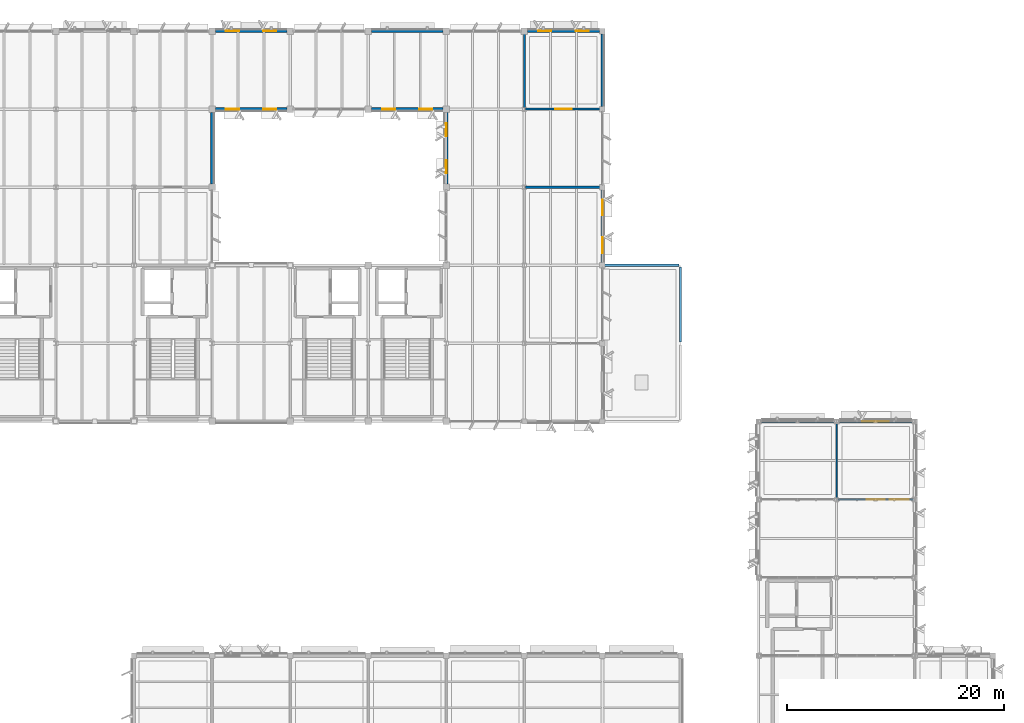
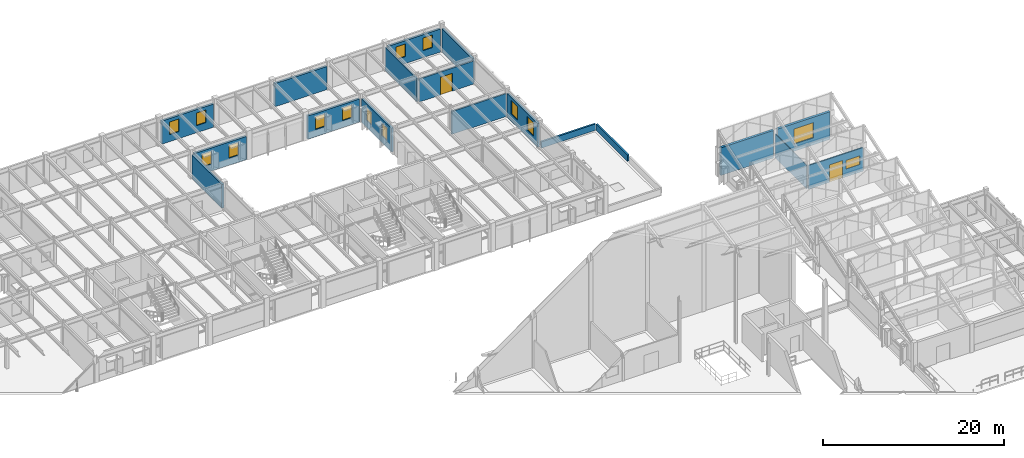
# One storey, part 40 of 82: 18 walls, 14 windows, 2 doors, 16 openings.
"""IFC4 building model written with IfcOpenShell, lengths in metres."""

import ifcopenshell
import ifcopenshell.guid

model = None  # the IFC model being written
_history = None  # IfcOwnerHistory: only IFC2X3 demands one
_inside = {}  # id of a spatial element -> (the spatial element, [elements in it])
_under = {}  # id of a project, library or spatial element -> (it, [spatial elements below it])
_declared = {}  # id of a project -> (the project, [libraries it declares])
_typed = {}  # id of a type object -> (the type object, [elements of that type])
_made_of = {}  # id of a material, layer set ... -> (it, [elements and type objects made of it])


def new_model(schema):
    """Start an empty IFC model of exactly this schema.

    Asked for "IFC4X3", IfcOpenShell would pick the latest addendum, in which some entities
    have other attributes; the version numbers below select the first issue.
    IFC2X3 requires an IfcOwnerHistory on every rooted entity: one is made here for all.
    """
    global model, _history
    if schema == "IFC4X3":
        model = ifcopenshell.file(schema_version=(4, 3, 0, 0))
    else:
        model = ifcopenshell.file(schema=schema)
    _inside.clear()
    _under.clear()
    _declared.clear()
    _typed.clear()
    _made_of.clear()
    _history = None
    if model.schema == "IFC2X3":
        org = make("IfcOrganization", Name="unknown")
        user = make(
            "IfcPersonAndOrganization",
            ThePerson=make("IfcPerson", FamilyName="unknown"),
            TheOrganization=org,
        )
        app = make(
            "IfcApplication",
            ApplicationDeveloper=org,
            Version="unknown",
            ApplicationFullName="unknown",
            ApplicationIdentifier="unknown",
        )
        _history = make(
            "IfcOwnerHistory",
            OwningUser=user,
            OwningApplication=app,
            ChangeAction="ADDED",
            CreationDate=0,
        )
    return model


def make(cls, **values):
    """One entity of the class cls with the attributes given. An attribute that is None is left unset."""
    return model.create_entity(
        cls, **{name: value for name, value in values.items() if value is not None}
    )


def rooted(cls, **values):
    """An entity with a GlobalId (a new one), such as an element, a storey or a relation."""
    return make(cls, GlobalId=ifcopenshell.guid.new(), OwnerHistory=_history, **values)


def si_unit(unit_type, name, prefix=None):
    """IfcSIUnit, for example si_unit("LENGTHUNIT", "METRE", prefix="MILLI")."""
    return make("IfcSIUnit", UnitType=unit_type, Prefix=prefix, Name=name)


def assignment(units):
    """IfcUnitAssignment: the units of a project."""
    return None if units is None else make("IfcUnitAssignment", Units=units)


def point(xyz):
    """IfcCartesianPoint."""
    return None if xyz is None else make("IfcCartesianPoint", Coordinates=xyz)


def direction(xyz):
    """IfcDirection."""
    return None if xyz is None else make("IfcDirection", DirectionRatios=xyz)


def frame(location, z_axis=None, x_axis=None):
    """IfcAxis2Placement3D, a coordinate frame: its origin and axes. An axis left out is left unset."""
    return make(
        "IfcAxis2Placement3D",
        Location=point(location),
        Axis=direction(z_axis),
        RefDirection=direction(x_axis),
    )


def frame_2d(location, x_axis=None):
    """IfcAxis2Placement2D, a coordinate frame in the plane: its origin and x axis."""
    return make(
        "IfcAxis2Placement2D", Location=point(location), RefDirection=direction(x_axis)
    )


def origin():
    """The frame at (0, 0, 0) with its axes left unset."""
    return frame((0.0, 0.0, 0.0))


def place(relative_to, where):
    """IfcLocalPlacement: puts the frame where relative to a parent placement (None: the world)."""
    return make(
        "IfcLocalPlacement", PlacementRelTo=relative_to, RelativePlacement=where
    )


def context(
    kind, dimensions, precision=None, world=None, true_north=None, identifier=None
):
    """IfcGeometricRepresentationContext, for example the 3D "Model" context."""
    return make(
        "IfcGeometricRepresentationContext",
        ContextIdentifier=identifier,
        ContextType=kind,
        CoordinateSpaceDimension=dimensions,
        Precision=precision,
        WorldCoordinateSystem=world,
        TrueNorth=true_north,
    )


def subcontext(parent, identifier, kind, view, scale=None):
    """IfcGeometricRepresentationSubContext, for example "Body" below "Model"."""
    return make(
        "IfcGeometricRepresentationSubContext",
        ContextIdentifier=identifier,
        ContextType=kind,
        ParentContext=parent,
        TargetScale=scale,
        TargetView=view,
    )


def project(units=None, contexts=None):
    """IfcProject with its units and contexts."""
    return rooted(
        "IfcProject",
        Name="project",
        RepresentationContexts=contexts,
        UnitsInContext=assignment(units),
    )


def spatial(cls, under=None, at=None, **own):
    """A site, building, storey or space (cls), placed at a placement, below another one or the project."""
    s = rooted(cls, ObjectPlacement=at, **own)
    if under is not None:
        _under.setdefault(under.id(), (under, []))[1].append(s)
    return s


def profile(cls, at=None, kind="AREA", **sizes):
    """A parametric profile (cls). Its sizes go by their IFC names, for example OverallWidth=200.0."""
    return make(cls, ProfileType=kind, Position=at, **sizes)


def rectangle(**sizes):
    """IfcRectangleProfileDef."""
    return profile("IfcRectangleProfileDef", **sizes)


def extrude(swept, where, along, depth):
    """IfcExtrudedAreaSolid: the profile swept, set in the frame where, extruded along a direction by depth."""
    return make(
        "IfcExtrudedAreaSolid",
        SweptArea=swept,
        Position=where,
        ExtrudedDirection=direction(along),
        Depth=depth,
    )


def shape(context_of_items, identifier, shape_type, items):
    """IfcShapeRepresentation: the items that make up one representation, for example the "Body"."""
    return make(
        "IfcShapeRepresentation",
        ContextOfItems=context_of_items,
        RepresentationIdentifier=identifier,
        RepresentationType=shape_type,
        Items=items,
    )


def material(Name=None, Category=None):
    """IfcMaterial."""
    return make("IfcMaterial", Name=Name, Category=Category)


def layer(
    of_material, thickness, ventilated=None, Name=None, Category=None, Priority=None
):
    """IfcMaterialLayer: one layer of a wall or slab, of a material (None: an air gap)."""
    return make(
        "IfcMaterialLayer",
        Material=of_material,
        LayerThickness=thickness,
        IsVentilated=ventilated,
        Name=Name,
        Category=Category,
        Priority=Priority,
    )


def layer_set(layers, Name=None):
    """IfcMaterialLayerSet."""
    return make("IfcMaterialLayerSet", MaterialLayers=layers, LayerSetName=Name)


def made_of(thing, what):
    """Note that an element or type object is made of a material, layer set ...; save() writes the relation."""
    if what is not None:
        _made_of.setdefault(what.id(), (what, []))[1].append(thing)
    return thing


def type_object(cls, material=None, **own):
    """A type object (cls), such as IfcWallType, which elements share."""
    return made_of(rooted(cls, **own), material)


def element(
    cls,
    number,
    at=None,
    inside=None,
    cuts=None,
    type_object=None,
    material=None,
    context=None,
    identifier="Body",
    shape_type=None,
    held_by="IfcProductDefinitionShape",
    body=None,
    shapes=None,
    **own,
):
    """One element of the class cls, such as IfcWall. Its Tag is "e" and its number.

    at: its placement. inside: the storey or other place that contains it. cuts: it is an
    opening in that element (IfcRelVoidsElement). A single representation is given by context,
    identifier, shape_type and body (its items); several are given by shapes. held_by: the class
    of the entity that holds the representations. save() writes the other relations.
    """
    e = rooted(cls, Tag="e%d" % number, ObjectPlacement=at, **own)
    if body is not None:
        shapes = [shape(context, identifier, shape_type, body)]
    if shapes is not None:
        e.Representation = make(held_by, Representations=shapes)
    if inside is not None:
        _inside.setdefault(inside.id(), (inside, []))[1].append(e)
    if cuts is not None:
        rooted(
            "IfcRelVoidsElement", RelatingBuildingElement=cuts, RelatedOpeningElement=e
        )
    if type_object is not None:
        _typed.setdefault(type_object.id(), (type_object, []))[1].append(e)
    return made_of(e, material)


def fill(opening, filler):
    """IfcRelFillsElement: the door or window that sits in an opening."""
    return rooted(
        "IfcRelFillsElement",
        RelatingOpeningElement=opening,
        RelatedBuildingElement=filler,
    )


def aggregate(whole, parts):
    """IfcRelAggregates: a whole, such as a stair, and the parts it consists of."""
    return rooted("IfcRelAggregates", RelatingObject=whole, RelatedObjects=parts)


def save(model, path):
    """Write the relations noted so far, then the file.

    IfcRelAggregates (storeys below a building ...), IfcRelContainedInSpatialStructure (elements
    in a storey), IfcRelDefinesByType, IfcRelAssociatesMaterial and IfcRelDeclares: one each for
    every whole, place, type object, material and project.
    """
    for whole, parts in _under.values():
        aggregate(whole, parts)
    for where, things in _inside.values():
        rooted(
            "IfcRelContainedInSpatialStructure",
            RelatedElements=things,
            RelatingStructure=where,
        )
    for kind, things in _typed.values():
        rooted("IfcRelDefinesByType", RelatedObjects=things, RelatingType=kind)
    for what, things in _made_of.values():
        rooted("IfcRelAssociatesMaterial", RelatedObjects=things, RelatingMaterial=what)
    for by, libraries in _declared.values():
        rooted("IfcRelDeclares", RelatingContext=by, RelatedDefinitions=libraries)
    model.write(path)


model = new_model("IFC4")

# Units and contexts
model_context = context("Model", 3, precision=1e-05, world=origin(), true_north=direction((0.0, 1.0)))
body_context = subcontext(model_context, "Body", "Model", "MODEL_VIEW")
ifc_project = project(units=[si_unit("LENGTHUNIT", "METRE"), si_unit("AREAUNIT", "SQUARE_METRE"), si_unit("VOLUMEUNIT", "CUBIC_METRE"), si_unit("PLANEANGLEUNIT", "RADIAN"), si_unit("MASSUNIT", "GRAM", prefix="KILO")], contexts=[model_context])

# Site, building, storey
site_placement = place(None, origin())
site = spatial("IfcSite", under=ifc_project, at=site_placement, CompositionType="ELEMENT")
building_placement = place(site_placement, origin())
building = spatial("IfcBuilding", under=site, at=building_placement, Name="Sillqori Civic Hall", CompositionType="ELEMENT")
storey_placement = place(building_placement, frame((0.0, 0.0, 14.10009765625)))
storey = spatial("IfcBuildingStorey", under=building, at=storey_placement, Name="L04", CompositionType="ELEMENT", Elevation=14.10009765625)

# Wall
ifc_material_1 = material(Name="Precast concrete C40/50 (H40)", Category="concrete")
ifc_layer_1 = layer(ifc_material_1, 0.280029296875)
ifc_layer_set_1 = layer_set([ifc_layer_1], Name="Precast concrete C40/50 (H40)")
wall_type_1 = type_object("IfcWallType", Name="EW-LIME-280", PredefinedType="SOLIDWALL", material=ifc_layer_set_1)
wall_1_placement = place(storey_placement, frame((72.0, 107.699951171875, 0.0), z_axis=(0.0, 0.0, 1.0), x_axis=(0.0, -1.0, 0.0)))
element("IfcWall", 1, at=wall_1_placement, inside=storey, type_object=wall_type_1, Name="L04 V4 exterior wall L04-09-14-E", PredefinedType="SOLIDWALL", context=body_context, shape_type="SweptSolid", body=[
    extrude(rectangle(XDim=6.599853515625, YDim=0.280029296875, at=frame_2d((3.2998046875, 0.0))), origin(), (0.0, 0.0, 1.0), 3.19189453125),
])

# Wall, openings, windows
wall_2_placement = place(storey_placement, frame((78.89990234375, 108.0, 0.0), z_axis=(0.0, 0.0, 1.0), x_axis=(-1.0, 0.0, 0.0)))
wall_2 = element("IfcWall", 2, at=wall_2_placement, inside=storey, type_object=wall_type_1, Name="L04 V4 exterior wall L04-10-15-S", PredefinedType="SOLIDWALL", context=body_context, shape_type="SweptSolid", body=[
    extrude(rectangle(XDim=6.599853515625, YDim=0.280029296875, at=frame_2d((3.2998046875, 0.0))), origin(), (0.0, 0.0, 1.0), 3.117919921875),
])
opening_1_placement = place(wall_2_placement, frame((0.98388671875, 0.0, 0.949951171875)))
opening_1 = element("IfcOpeningElement", 3, at=opening_1_placement, cuts=wall_2, Name="Opening W-22", PredefinedType="OPENING", context=body_context, shape_type="SweptSolid", body=[
    extrude(rectangle(XDim=1.199951171875, YDim=1.699951171875, at=frame_2d((0.60009765625, 0.85009765625))), frame((0.0, 0.14990234375, 0.0), z_axis=(0.0, -1.0, 0.0), x_axis=(1.0, 0.0, 0.0)), (0.0, 0.0, 1.0), 0.300048828125),
])
opening_2_placement = place(wall_2_placement, frame((4.416015625, 0.0, 0.949951171875)))
opening_2 = element("IfcOpeningElement", 4, at=opening_2_placement, cuts=wall_2, Name="Opening W-22", PredefinedType="OPENING", context=body_context, shape_type="SweptSolid", body=[
    extrude(rectangle(XDim=1.199951171875, YDim=1.699951171875, at=frame_2d((0.60009765625, 0.85009765625))), frame((0.0, 0.14990234375, 0.0), z_axis=(0.0, -1.0, 0.0), x_axis=(1.0, 0.0, 0.0)), (0.0, 0.0, 1.0), 0.300048828125),
])
ifc_material_2 = material(Name="Thermally Broken Aluminium Low-E Window", Category="aluminium")
window_type_1 = type_object("IfcWindowType", Name="WIN-V5-120X170", PartitioningType="SINGLE_PANEL", PredefinedType="WINDOW", material=ifc_material_2)
window_1_placement = place(opening_1_placement, origin())
window_1 = element("IfcWindow", 5, at=window_1_placement, inside=storey, type_object=window_type_1, Name="L04 V4 window L04-10-15-S.1", OverallHeight=1.699951171875, OverallWidth=1.199951171875, PartitioningType="SINGLE_PANEL", PredefinedType="WINDOW", context=body_context, shape_type="SweptSolid", body=[
    extrude(rectangle(XDim=1.199951171875, YDim=1.699951171875, at=frame_2d((0.60009765625, 0.85009765625))), frame((0.0, 0.030029296875, 0.0), z_axis=(0.0, -1.0, 0.0), x_axis=(1.0, 0.0, 0.0)), (0.0, 0.0, 1.0), 0.06005859375),
])
fill(opening_1, window_1)
window_2_placement = place(opening_2_placement, origin())
window_2 = element("IfcWindow", 6, at=window_2_placement, inside=storey, type_object=window_type_1, Name="L04 V4 window L04-10-15-S.2", OverallHeight=1.699951171875, OverallWidth=1.199951171875, PartitioningType="SINGLE_PANEL", PredefinedType="WINDOW", context=body_context, shape_type="SweptSolid", body=[
    extrude(rectangle(XDim=1.199951171875, YDim=1.699951171875, at=frame_2d((0.60009765625, 0.85009765625))), frame((0.0, 0.030029296875, 0.0), z_axis=(0.0, -1.0, 0.0), x_axis=(1.0, 0.0, 0.0)), (0.0, 0.0, 1.0), 0.06005859375),
])
fill(opening_2, window_2)

wall_3_placement = place(storey_placement, frame((72.300048828125, 115.199951171875, 0.0), z_axis=(0.0, 0.0, 1.0), x_axis=(1.0, 0.0, 0.0)))
wall_3 = element("IfcWall", 7, at=wall_3_placement, inside=storey, type_object=wall_type_1, Name="L04 V4 exterior wall L04-10-15-N", PredefinedType="SOLIDWALL", context=body_context, shape_type="SweptSolid", body=[
    extrude(rectangle(XDim=6.599853515625, YDim=0.280029296875, at=frame_2d((3.2998046875, 0.0))), origin(), (0.0, 0.0, 1.0), 3.117919921875),
])
opening_3_placement = place(wall_3_placement, frame((0.98388671875, 0.0, 0.949951171875)))
opening_3 = element("IfcOpeningElement", 8, at=opening_3_placement, cuts=wall_3, Name="Opening W-22", PredefinedType="OPENING", context=body_context, shape_type="SweptSolid", body=[
    extrude(rectangle(XDim=1.199951171875, YDim=1.699951171875, at=frame_2d((0.60009765625, 0.85009765625))), frame((0.0, 0.14990234375, 0.0), z_axis=(0.0, -1.0, 0.0), x_axis=(1.0, 0.0, 0.0)), (0.0, 0.0, 1.0), 0.300048828125),
])
opening_4_placement = place(wall_3_placement, frame((4.416015625, 0.0, 0.949951171875)))
opening_4 = element("IfcOpeningElement", 9, at=opening_4_placement, cuts=wall_3, Name="Opening W-22", PredefinedType="OPENING", context=body_context, shape_type="SweptSolid", body=[
    extrude(rectangle(XDim=1.199951171875, YDim=1.699951171875, at=frame_2d((0.60009765625, 0.85009765625))), frame((0.0, 0.14990234375, 0.0), z_axis=(0.0, -1.0, 0.0), x_axis=(1.0, 0.0, 0.0)), (0.0, 0.0, 1.0), 0.300048828125),
])
window_3_placement = place(opening_3_placement, origin())
window_3 = element("IfcWindow", 10, at=window_3_placement, inside=storey, type_object=window_type_1, Name="L04 V4 window L04-10-15-N.1", OverallHeight=1.699951171875, OverallWidth=1.199951171875, PartitioningType="SINGLE_PANEL", PredefinedType="WINDOW", context=body_context, shape_type="SweptSolid", body=[
    extrude(rectangle(XDim=1.199951171875, YDim=1.699951171875, at=frame_2d((0.60009765625, 0.85009765625))), frame((0.0, 0.030029296875, 0.0), z_axis=(0.0, -1.0, 0.0), x_axis=(1.0, 0.0, 0.0)), (0.0, 0.0, 1.0), 0.06005859375),
])
fill(opening_3, window_3)
window_4_placement = place(opening_4_placement, origin())
window_4 = element("IfcWindow", 11, at=window_4_placement, inside=storey, type_object=window_type_1, Name="L04 V4 window L04-10-15-N.2", OverallHeight=1.699951171875, OverallWidth=1.199951171875, PartitioningType="SINGLE_PANEL", PredefinedType="WINDOW", context=body_context, shape_type="SweptSolid", body=[
    extrude(rectangle(XDim=1.199951171875, YDim=1.699951171875, at=frame_2d((0.60009765625, 0.85009765625))), frame((0.0, 0.030029296875, 0.0), z_axis=(0.0, -1.0, 0.0), x_axis=(1.0, 0.0, 0.0)), (0.0, 0.0, 1.0), 0.06005859375),
])
fill(opening_4, window_4)

wall_4_placement = place(storey_placement, frame((93.300048828125, 108.0, 0.0), z_axis=(0.0, 0.0, 1.0), x_axis=(-1.0, 0.0, 0.0)))
wall_4 = element("IfcWall", 12, at=wall_4_placement, inside=storey, type_object=wall_type_1, Name="L04 V4 exterior wall L04-12-15-S", PredefinedType="SOLIDWALL", context=body_context, shape_type="SweptSolid", body=[
    extrude(rectangle(XDim=6.60009765625, YDim=0.280029296875, at=frame_2d((3.300048828125, 0.0))), origin(), (0.0, 0.0, 1.0), 3.117919921875),
])
opening_5_placement = place(wall_4_placement, frame((0.98388671875, 0.0, 0.949951171875)))
opening_5 = element("IfcOpeningElement", 13, at=opening_5_placement, cuts=wall_4, Name="Opening W-22", PredefinedType="OPENING", context=body_context, shape_type="SweptSolid", body=[
    extrude(rectangle(XDim=1.199951171875, YDim=1.699951171875, at=frame_2d((0.60009765625, 0.85009765625))), frame((0.0, 0.14990234375, 0.0), z_axis=(0.0, -1.0, 0.0), x_axis=(1.0, 0.0, 0.0)), (0.0, 0.0, 1.0), 0.300048828125),
])
opening_6_placement = place(wall_4_placement, frame((4.416015625, 0.0, 0.949951171875)))
opening_6 = element("IfcOpeningElement", 14, at=opening_6_placement, cuts=wall_4, Name="Opening W-22", PredefinedType="OPENING", context=body_context, shape_type="SweptSolid", body=[
    extrude(rectangle(XDim=1.199951171875, YDim=1.699951171875, at=frame_2d((0.60009765625, 0.85009765625))), frame((0.0, 0.14990234375, 0.0), z_axis=(0.0, -1.0, 0.0), x_axis=(1.0, 0.0, 0.0)), (0.0, 0.0, 1.0), 0.300048828125),
])
window_5_placement = place(opening_5_placement, origin())
window_5 = element("IfcWindow", 15, at=window_5_placement, inside=storey, type_object=window_type_1, Name="L04 V4 window L04-12-15-S.1", OverallHeight=1.699951171875, OverallWidth=1.199951171875, PartitioningType="SINGLE_PANEL", PredefinedType="WINDOW", context=body_context, shape_type="SweptSolid", body=[
    extrude(rectangle(XDim=1.199951171875, YDim=1.699951171875, at=frame_2d((0.60009765625, 0.85009765625))), frame((0.0, 0.030029296875, 0.0), z_axis=(0.0, -1.0, 0.0), x_axis=(1.0, 0.0, 0.0)), (0.0, 0.0, 1.0), 0.06005859375),
])
fill(opening_5, window_5)
window_6_placement = place(opening_6_placement, origin())
window_6 = element("IfcWindow", 16, at=window_6_placement, inside=storey, type_object=window_type_1, Name="L04 V4 window L04-12-15-S.2", OverallHeight=1.699951171875, OverallWidth=1.199951171875, PartitioningType="SINGLE_PANEL", PredefinedType="WINDOW", context=body_context, shape_type="SweptSolid", body=[
    extrude(rectangle(XDim=1.199951171875, YDim=1.699951171875, at=frame_2d((0.60009765625, 0.85009765625))), frame((0.0, 0.030029296875, 0.0), z_axis=(0.0, -1.0, 0.0), x_axis=(1.0, 0.0, 0.0)), (0.0, 0.0, 1.0), 0.06005859375),
])
fill(opening_6, window_6)

# Wall
wall_5_placement = place(storey_placement, frame((86.699951171875, 115.199951171875, 0.0), z_axis=(0.0, 0.0, 1.0), x_axis=(1.0, 0.0, 0.0)))
element("IfcWall", 17, at=wall_5_placement, inside=storey, type_object=wall_type_1, Name="L04 V4 exterior wall L04-12-15-N", PredefinedType="SOLIDWALL", context=body_context, shape_type="SweptSolid", body=[
    extrude(rectangle(XDim=6.60009765625, YDim=0.280029296875, at=frame_2d((3.300048828125, 0.0))), origin(), (0.0, 0.0, 1.0), 3.117919921875),
])

# Wall, openings, windows
wall_6_placement = place(storey_placement, frame((93.60009765625, 101.10009765625, 0.0), z_axis=(0.0, 0.0, 1.0), x_axis=(0.0, 1.0, 0.0)))
wall_6 = element("IfcWall", 18, at=wall_6_placement, inside=storey, type_object=wall_type_1, Name="L04 V4 exterior wall L04-13-14-W", PredefinedType="SOLIDWALL", context=body_context, shape_type="SweptSolid", body=[
    extrude(rectangle(XDim=6.599853515625, YDim=0.280029296875, at=frame_2d((3.2998046875, 0.0))), origin(), (0.0, 0.0, 1.0), 3.19189453125),
])
opening_7_placement = place(wall_6_placement, frame((0.98388671875, 0.0, 0.949951171875)))
opening_7 = element("IfcOpeningElement", 19, at=opening_7_placement, cuts=wall_6, Name="Opening W-22", PredefinedType="OPENING", context=body_context, shape_type="SweptSolid", body=[
    extrude(rectangle(XDim=1.199951171875, YDim=1.699951171875, at=frame_2d((0.60009765625, 0.85009765625))), frame((0.0, 0.14990234375, 0.0), z_axis=(0.0, -1.0, 0.0), x_axis=(1.0, 0.0, 0.0)), (0.0, 0.0, 1.0), 0.300048828125),
])
opening_8_placement = place(wall_6_placement, frame((4.416015625, 0.0, 0.949951171875)))
opening_8 = element("IfcOpeningElement", 20, at=opening_8_placement, cuts=wall_6, Name="Opening W-22", PredefinedType="OPENING", context=body_context, shape_type="SweptSolid", body=[
    extrude(rectangle(XDim=1.199951171875, YDim=1.699951171875, at=frame_2d((0.60009765625, 0.85009765625))), frame((0.0, 0.14990234375, 0.0), z_axis=(0.0, -1.0, 0.0), x_axis=(1.0, 0.0, 0.0)), (0.0, 0.0, 1.0), 0.300048828125),
])
window_7_placement = place(opening_7_placement, origin())
window_7 = element("IfcWindow", 21, at=window_7_placement, inside=storey, type_object=window_type_1, Name="L04 V4 window L04-13-14-W.1", OverallHeight=1.699951171875, OverallWidth=1.199951171875, PartitioningType="SINGLE_PANEL", PredefinedType="WINDOW", context=body_context, shape_type="SweptSolid", body=[
    extrude(rectangle(XDim=1.199951171875, YDim=1.699951171875, at=frame_2d((0.60009765625, 0.85009765625))), frame((0.0, 0.030029296875, 0.0), z_axis=(0.0, -1.0, 0.0), x_axis=(1.0, 0.0, 0.0)), (0.0, 0.0, 1.0), 0.06005859375),
])
fill(opening_7, window_7)
window_8_placement = place(opening_8_placement, origin())
window_8 = element("IfcWindow", 22, at=window_8_placement, inside=storey, type_object=window_type_1, Name="L04 V4 window L04-13-14-W.2", OverallHeight=1.699951171875, OverallWidth=1.199951171875, PartitioningType="SINGLE_PANEL", PredefinedType="WINDOW", context=body_context, shape_type="SweptSolid", body=[
    extrude(rectangle(XDim=1.199951171875, YDim=1.699951171875, at=frame_2d((0.60009765625, 0.85009765625))), frame((0.0, 0.030029296875, 0.0), z_axis=(0.0, -1.0, 0.0), x_axis=(1.0, 0.0, 0.0)), (0.0, 0.0, 1.0), 0.06005859375),
])
fill(opening_8, window_8)

wall_7_placement = place(storey_placement, frame((108.0, 100.550048828125, 0.0), z_axis=(0.0, 0.0, 1.0), x_axis=(0.0, -1.0, 0.0)))
wall_7 = element("IfcWall", 23, at=wall_7_placement, inside=storey, type_object=wall_type_1, Name="L04 V4 exterior wall L04-14-13-E", PredefinedType="SOLIDWALL", context=body_context, shape_type="SweptSolid", body=[
    extrude(rectangle(XDim=6.699951171875, YDim=0.280029296875, at=frame_2d((3.35009765625, 0.0))), origin(), (0.0, 0.0, 1.0), 3.171875),
])
opening_9_placement = place(wall_7_placement, frame((0.883056640625, 0.0, 0.949951171875)))
opening_9 = element("IfcOpeningElement", 24, at=opening_9_placement, cuts=wall_7, Name="Opening W-43", PredefinedType="OPENING", context=body_context, shape_type="SweptSolid", body=[
    extrude(rectangle(XDim=1.449951171875, YDim=1.85009765625, at=frame_2d((0.72509765625, 0.925048828125))), frame((0.0, 0.14990234375, 0.0), z_axis=(0.0, -1.0, 0.0), x_axis=(1.0, 0.0, 0.0)), (0.0, 0.0, 1.0), 0.300048828125),
])
opening_10_placement = place(wall_7_placement, frame((4.366943359375, 0.0, 0.949951171875)))
opening_10 = element("IfcOpeningElement", 25, at=opening_10_placement, cuts=wall_7, Name="Opening W-43", PredefinedType="OPENING", context=body_context, shape_type="SweptSolid", body=[
    extrude(rectangle(XDim=1.449951171875, YDim=1.85009765625, at=frame_2d((0.72509765625, 0.925048828125))), frame((0.0, 0.14990234375, 0.0), z_axis=(0.0, -1.0, 0.0), x_axis=(1.0, 0.0, 0.0)), (0.0, 0.0, 1.0), 0.300048828125),
])
window_type_2 = type_object("IfcWindowType", Name="WIN-GD-145X185", PartitioningType="SINGLE_PANEL", PredefinedType="WINDOW", material=ifc_material_2)
window_9_placement = place(opening_9_placement, origin())
window_9 = element("IfcWindow", 26, at=window_9_placement, inside=storey, type_object=window_type_2, Name="L04 V4 window L04-14-13-E.1", OverallHeight=1.85009765625, OverallWidth=1.449951171875, PartitioningType="SINGLE_PANEL", PredefinedType="WINDOW", context=body_context, shape_type="SweptSolid", body=[
    extrude(rectangle(XDim=1.449951171875, YDim=1.85009765625, at=frame_2d((0.72509765625, 0.925048828125))), frame((0.0, 0.030029296875, 0.0), z_axis=(0.0, -1.0, 0.0), x_axis=(1.0, 0.0, 0.0)), (0.0, 0.0, 1.0), 0.06005859375),
])
fill(opening_9, window_9)
window_10_placement = place(opening_10_placement, origin())
window_10 = element("IfcWindow", 27, at=window_10_placement, inside=storey, type_object=window_type_2, Name="L04 V4 window L04-14-13-E.2", OverallHeight=1.85009765625, OverallWidth=1.449951171875, PartitioningType="SINGLE_PANEL", PredefinedType="WINDOW", context=body_context, shape_type="SweptSolid", body=[
    extrude(rectangle(XDim=1.449951171875, YDim=1.85009765625, at=frame_2d((0.72509765625, 0.925048828125))), frame((0.0, 0.030029296875, 0.0), z_axis=(0.0, -1.0, 0.0), x_axis=(1.0, 0.0, 0.0)), (0.0, 0.0, 1.0), 0.06005859375),
])
fill(opening_10, window_10)

wall_8_placement = place(storey_placement, frame((101.10009765625, 115.199951171875, 0.0), z_axis=(0.0, 0.0, 1.0), x_axis=(1.0, 0.0, 0.0)))
wall_8 = element("IfcWall", 28, at=wall_8_placement, inside=storey, type_object=wall_type_1, Name="L04 V4 exterior wall L04-14-15-N", PredefinedType="SOLIDWALL", context=body_context, shape_type="SweptSolid", body=[
    extrude(rectangle(XDim=6.64990234375, YDim=0.280029296875, at=frame_2d((3.324951171875, 0.0))), origin(), (0.0, 0.0, 1.0), 3.097900390625),
])
opening_11_placement = place(wall_8_placement, frame((0.99609375, 0.0, 0.949951171875)))
opening_11 = element("IfcOpeningElement", 29, at=opening_11_placement, cuts=wall_8, Name="Opening W-22", PredefinedType="OPENING", context=body_context, shape_type="SweptSolid", body=[
    extrude(rectangle(XDim=1.199951171875, YDim=1.699951171875, at=frame_2d((0.60009765625, 0.85009765625))), frame((0.0, 0.14990234375, 0.0), z_axis=(0.0, -1.0, 0.0), x_axis=(1.0, 0.0, 0.0)), (0.0, 0.0, 1.0), 0.300048828125),
])
opening_12_placement = place(wall_8_placement, frame((4.4541015625, 0.0, 0.949951171875)))
opening_12 = element("IfcOpeningElement", 30, at=opening_12_placement, cuts=wall_8, Name="Opening W-22", PredefinedType="OPENING", context=body_context, shape_type="SweptSolid", body=[
    extrude(rectangle(XDim=1.199951171875, YDim=1.699951171875, at=frame_2d((0.60009765625, 0.85009765625))), frame((0.0, 0.14990234375, 0.0), z_axis=(0.0, -1.0, 0.0), x_axis=(1.0, 0.0, 0.0)), (0.0, 0.0, 1.0), 0.300048828125),
])
window_11_placement = place(opening_11_placement, origin())
window_11 = element("IfcWindow", 31, at=window_11_placement, inside=storey, type_object=window_type_1, Name="L04 V4 window L04-14-15-N.1", OverallHeight=1.699951171875, OverallWidth=1.199951171875, PartitioningType="SINGLE_PANEL", PredefinedType="WINDOW", context=body_context, shape_type="SweptSolid", body=[
    extrude(rectangle(XDim=1.199951171875, YDim=1.699951171875, at=frame_2d((0.60009765625, 0.85009765625))), frame((0.0, 0.030029296875, 0.0), z_axis=(0.0, -1.0, 0.0), x_axis=(1.0, 0.0, 0.0)), (0.0, 0.0, 1.0), 0.06005859375),
])
fill(opening_11, window_11)
window_12_placement = place(opening_12_placement, origin())
window_12 = element("IfcWindow", 32, at=window_12_placement, inside=storey, type_object=window_type_1, Name="L04 V4 window L04-14-15-N.2", OverallHeight=1.699951171875, OverallWidth=1.199951171875, PartitioningType="SINGLE_PANEL", PredefinedType="WINDOW", context=body_context, shape_type="SweptSolid", body=[
    extrude(rectangle(XDim=1.199951171875, YDim=1.699951171875, at=frame_2d((0.60009765625, 0.85009765625))), frame((0.0, 0.030029296875, 0.0), z_axis=(0.0, -1.0, 0.0), x_axis=(1.0, 0.0, 0.0)), (0.0, 0.0, 1.0), 0.06005859375),
])
fill(opening_12, window_12)

# Walls
wall_9_placement = place(storey_placement, frame((108.0, 114.949951171875, 0.0), z_axis=(0.0, 0.0, 1.0), x_axis=(0.0, -1.0, 0.0)))
element("IfcWall", 33, at=wall_9_placement, inside=storey, type_object=wall_type_1, Name="L04 V4 exterior wall L04-14-15-E", PredefinedType="SOLIDWALL", context=body_context, shape_type="SweptSolid", body=[
    extrude(rectangle(XDim=6.699951171875, YDim=0.280029296875, at=frame_2d((3.35009765625, 0.0))), origin(), (0.0, 0.0, 1.0), 3.171875),
])
ifc_layer_2 = layer(ifc_material_1, 0.300048828125)
ifc_layer_set_2 = layer_set([ifc_layer_2], Name="Precast concrete C40/50 (H40)")
wall_type_2 = type_object("IfcWallType", Name="EW-LIME-300", PredefinedType="SOLIDWALL", material=ifc_layer_set_2)
wall_10_placement = place(storey_placement, frame((122.64990234375, 79.199951171875, 0.0), z_axis=(0.0, 0.0, 1.0), x_axis=(1.0, 0.0, 0.0)))
element("IfcWall", 34, at=wall_10_placement, inside=storey, type_object=wall_type_2, Name="L04 V3 exterior wall L04-17-10-N", PredefinedType="SOLIDWALL", context=body_context, shape_type="SweptSolid", body=[
    extrude(rectangle(XDim=6.7001953125, YDim=0.300048828125, at=frame_2d((3.35009765625, 0.0))), origin(), (0.0, 0.0, 1.0), 3.719970703125),
])

# Wall, opening, window
wall_11_placement = place(storey_placement, frame((129.85009765625, 79.199951171875, 0.0), z_axis=(0.0, 0.0, 1.0), x_axis=(1.0, 0.0, 0.0)))
wall_11 = element("IfcWall", 35, at=wall_11_placement, inside=storey, type_object=wall_type_2, Name="L04 V3 exterior wall L04-18-10-N", PredefinedType="SOLIDWALL", context=body_context, shape_type="SweptSolid", body=[
    extrude(rectangle(XDim=6.699951171875, YDim=0.300048828125, at=frame_2d((3.35009765625, 0.0))), origin(), (0.0, 0.0, 1.0), 3.719970703125),
])
opening_13_placement = place(wall_11_placement, frame((2.125, 0.0, 0.949951171875)))
opening_13 = element("IfcOpeningElement", 36, at=opening_13_placement, cuts=wall_11, Name="Opening W-40", PredefinedType="OPENING", context=body_context, shape_type="SweptSolid", body=[
    extrude(rectangle(XDim=2.449951171875, YDim=2.050048828125, at=frame_2d((1.22509765625, 1.02490234375))), frame((0.0, 0.159912109375, 0.0), z_axis=(0.0, -1.0, 0.0), x_axis=(1.0, 0.0, 0.0)), (0.0, 0.0, 1.0), 0.320068359375),
])
window_type_3 = type_object("IfcWindowType", Name="WIN-GD-245X205", PartitioningType="SINGLE_PANEL", PredefinedType="WINDOW", material=ifc_material_2)
window_13_placement = place(opening_13_placement, origin())
window_13 = element("IfcWindow", 37, at=window_13_placement, inside=storey, type_object=window_type_3, Name="L04 V3 window L04-18-10-N.1", OverallHeight=2.050048828125, OverallWidth=2.449951171875, PartitioningType="SINGLE_PANEL", PredefinedType="WINDOW", context=body_context, shape_type="SweptSolid", body=[
    extrude(rectangle(XDim=2.449951171875, YDim=2.050048828125, at=frame_2d((1.22509765625, 1.02490234375))), frame((0.0, 0.030029296875, 0.0), z_axis=(0.0, -1.0, 0.0), x_axis=(1.0, 0.0, 0.0)), (0.0, 0.0, 1.0), 0.06005859375),
])
fill(opening_13, window_13)

# Wall
ifc_material_3 = material(Name="Acoustic Steel-Stud Gypsum Partition 112", Category="steel")
ifc_layer_3 = layer(ifc_material_3, 0.112060546875)
ifc_layer_set_3 = layer_set([ifc_layer_3], Name="Acoustic Steel-Stud Gypsum Partition 112")
wall_type_3 = type_object("IfcWallType", Name="PT-GYP-112", PredefinedType="PARTITIONING", material=ifc_layer_set_3)
wall_12_placement = place(storey_placement, frame((129.60009765625, 79.080078125, 0.0), z_axis=(0.0, 0.0, 1.0), x_axis=(0.0, -1.0, 0.0)))
element("IfcWall", 38, at=wall_12_placement, inside=storey, type_object=wall_type_3, Name="Constitutional Law Open Book Stacks partition E2", PredefinedType="PARTITIONING", context=body_context, shape_type="SweptSolid", body=[
    extrude(rectangle(XDim=6.9599609375, YDim=0.112060546875, at=frame_2d((3.47998046875, 0.0))), origin(), (0.0, 0.0, 1.0), 3.18994140625),
])

# Wall, openings, door, window
ifc_material_4 = material(Name="Double-Board Acoustic Partition 138", Category="gypsum")
ifc_layer_4 = layer(ifc_material_4, 0.137939453125)
ifc_layer_set_4 = layer_set([ifc_layer_4], Name="Double-Board Acoustic Partition 138")
wall_type_4 = type_object("IfcWallType", Name="PT-GYP-138", PredefinedType="PARTITIONING", material=ifc_layer_set_4)
wall_13_placement = place(storey_placement, frame((136.679931640625, 72.0, 0.0), z_axis=(0.0, 0.0, 1.0), x_axis=(-1.0, 0.0, 0.0)))
wall_13 = element("IfcWall", 39, at=wall_13_placement, inside=storey, type_object=wall_type_4, Name="Clerestory Members Library Reading Room L04-04 partition S1", PredefinedType="PARTITIONING", context=body_context, shape_type="SweptSolid", body=[
    extrude(rectangle(XDim=6.9599609375, YDim=0.137939453125, at=frame_2d((3.47998046875, 0.0))), origin(), (0.0, 0.0, 1.0), 3.18994140625),
])
opening_14_placement = place(wall_13_placement, frame((2.639892578125, 0.0, 0.0)))
opening_14 = element("IfcOpeningElement", 40, at=opening_14_placement, cuts=wall_13, Name="Opening ID-09", PredefinedType="OPENING", context=body_context, shape_type="SweptSolid", body=[
    extrude(rectangle(XDim=1.679931640625, YDim=2.35009765625, at=frame_2d((0.83984375, 1.175048828125))), frame((0.0, 0.078857421875, 0.0), z_axis=(0.0, -1.0, 0.0), x_axis=(1.0, 0.0, 0.0)), (0.0, 0.0, 1.0), 0.157958984375),
])
opening_15_placement = place(wall_13_placement, frame((0.449951171875, 0.0, 1.050048828125)))
opening_15 = element("IfcOpeningElement", 41, at=opening_15_placement, cuts=wall_13, Name="Opening IW-14", PredefinedType="OPENING", context=body_context, shape_type="SweptSolid", body=[
    extrude(rectangle(XDim=1.75, YDim=1.179931640625, at=frame_2d((0.875, 0.58984375))), frame((0.0, 0.078857421875, 0.0), z_axis=(0.0, -1.0, 0.0), x_axis=(1.0, 0.0, 0.0)), (0.0, 0.0, 1.0), 0.157958984375),
])
ifc_material_5 = material(Name="Library Reading Room Acoustic Door", Category="timber")
door_type_1 = type_object("IfcDoorType", Name="IDR-LIB-168X235", OperationType="NOTDEFINED", PredefinedType="DOOR", material=ifc_material_5)
door_1_placement = place(opening_14_placement, origin())
door_1 = element("IfcDoor", 42, at=door_1_placement, inside=storey, type_object=door_type_1, Name="Clerestory Members Library Reading Room L04-04 entrance door", OperationType="DOUBLE_DOOR_SINGLE_SWING", OverallHeight=2.35009765625, OverallWidth=1.679931640625, PredefinedType="DOOR", context=body_context, shape_type="SweptSolid", body=[
    extrude(rectangle(XDim=1.679931640625, YDim=2.35009765625, at=frame_2d((0.83984375, 1.175048828125))), frame((0.0, 0.02490234375, 0.0), z_axis=(0.0, -1.0, 0.0), x_axis=(1.0, 0.0, 0.0)), (0.0, 0.0, 1.0), 0.050048828125),
])
fill(opening_14, door_1)
ifc_material_6 = material(Name="Acoustic Laminated Interior Clerestory Glazing", Category="glass")
window_type_4 = type_object("IfcWindowType", Name="IWN-STU-175X118", PartitioningType="SINGLE_PANEL", PredefinedType="WINDOW", material=ifc_material_6)
window_14_placement = place(opening_15_placement, origin())
window_14 = element("IfcWindow", 43, at=window_14_placement, inside=storey, type_object=window_type_4, Name="Clerestory Members Library Reading Room L04-04 borrowed-light screen", OverallHeight=1.179931640625, OverallWidth=1.75, PartitioningType="SINGLE_PANEL", PredefinedType="WINDOW", context=body_context, shape_type="SweptSolid", body=[
    extrude(rectangle(XDim=1.75, YDim=1.179931640625, at=frame_2d((0.875, 0.58984375))), frame((0.0, 0.030029296875, 0.0), z_axis=(0.0, -1.0, 0.0), x_axis=(1.0, 0.0, 0.0)), (0.0, 0.0, 1.0), 0.06005859375),
])
fill(opening_15, window_14)

# Wall
ifc_material_7 = material(Name="Concrete C25/30 (H25)", Category="concrete")
ifc_layer_5 = layer(ifc_material_7, 0.18505859375)
ifc_layer_set_5 = layer_set([ifc_layer_5], Name="Concrete C25/30 (H25)")
wall_type_5 = type_object("IfcWallType", Name="PT-MAS-185", PredefinedType="PARTITIONING", material=ifc_layer_set_5)
wall_14_placement = place(storey_placement, frame((100.919921875, 100.800048828125, 0.0), z_axis=(0.0, 0.0, 1.0), x_axis=(1.0, 0.0, 0.0)))
element("IfcWall", 44, at=wall_14_placement, inside=storey, type_object=wall_type_5, Name="Municipal Treasury and Finance Directorate L04-05 partition N2", PredefinedType="PARTITIONING", context=body_context, shape_type="SweptSolid", body=[
    extrude(rectangle(XDim=6.9599609375, YDim=0.18505859375, at=frame_2d((3.47998046875, 0.0))), origin(), (0.0, 0.0, 1.0), 3.087890625),
])

# Wall, opening, door
ifc_layer_6 = layer(ifc_material_7, 0.196044921875)
ifc_layer_set_6 = layer_set([ifc_layer_6], Name="Concrete C25/30 (H25)")
wall_type_6 = type_object("IfcWallType", Name="PT-MAS-196", PredefinedType="PARTITIONING", material=ifc_layer_set_6)
wall_15_placement = place(storey_placement, frame((107.8798828125, 108.0, 0.0), z_axis=(0.0, 0.0, 1.0), x_axis=(-1.0, 0.0, 0.0)))
wall_15 = element("IfcWall", 45, at=wall_15_placement, inside=storey, type_object=wall_type_6, Name="Revenue Accounting and Procurement Office L04-06 partition S1", PredefinedType="PARTITIONING", context=body_context, shape_type="SweptSolid", body=[
    extrude(rectangle(XDim=6.9599609375, YDim=0.196044921875, at=frame_2d((3.47998046875, 0.0))), origin(), (0.0, 0.0, 1.0), 3.087890625),
])
opening_16_placement = place(wall_15_placement, frame((2.719970703125, 0.0, 0.0)))
opening_16 = element("IfcOpeningElement", 46, at=opening_16_placement, cuts=wall_15, Name="Opening ID-17", PredefinedType="OPENING", context=body_context, shape_type="SweptSolid", body=[
    extrude(rectangle(XDim=1.52001953125, YDim=2.39990234375, at=frame_2d((0.760009765625, 1.199951171875))), frame((0.0, 0.10791015625, 0.0), z_axis=(0.0, -1.0, 0.0), x_axis=(1.0, 0.0, 0.0)), (0.0, 0.0, 1.0), 0.216064453125),
])
ifc_material_8 = material(Name="Mayoral Suite Ceremonial Door", Category="timber")
door_type_2 = type_object("IfcDoorType", Name="IDR-MAY-152X240", OperationType="NOTDEFINED", PredefinedType="DOOR", material=ifc_material_8)
door_2_placement = place(opening_16_placement, origin())
door_2 = element("IfcDoor", 47, at=door_2_placement, inside=storey, type_object=door_type_2, Name="Revenue Accounting and Procurement Office L04-06 entrance door", OperationType="DOUBLE_DOOR_SINGLE_SWING", OverallHeight=2.39990234375, OverallWidth=1.52001953125, PredefinedType="DOOR", context=body_context, shape_type="SweptSolid", body=[
    extrude(rectangle(XDim=1.52001953125, YDim=2.39990234375, at=frame_2d((0.760009765625, 1.199951171875))), frame((0.0, 0.02490234375, 0.0), z_axis=(0.0, -1.0, 0.0), x_axis=(1.0, 0.0, 0.0)), (0.0, 0.0, 1.0), 0.050048828125),
])
fill(opening_16, door_2)

# Walls
wall_16_placement = place(storey_placement, frame((100.800048828125, 108.1201171875, 0.0), z_axis=(0.0, 0.0, 1.0), x_axis=(0.0, 1.0, 0.0)))
element("IfcWall", 48, at=wall_16_placement, inside=storey, type_object=wall_type_6, Name="Revenue Accounting and Procurement Office L04-06 partition W2", PredefinedType="PARTITIONING", context=body_context, shape_type="SweptSolid", body=[
    extrude(rectangle(XDim=6.9599609375, YDim=0.196044921875, at=frame_2d((3.47998046875, 0.0))), origin(), (0.0, 0.0, 1.0), 3.087890625),
])
ifc_layer_7 = layer(ifc_material_1, 0.219970703125)
ifc_layer_set_7 = layer_set([ifc_layer_7], Name="Precast concrete C40/50 (H40)")
wall_type_7 = type_object("IfcWallType", Name="WP-PAR-220", PredefinedType="PARAPET", material=ifc_layer_set_7)
wall_17_placement = place(storey_placement, frame((115.199951171875, 93.449951171875, 0.0), z_axis=(0.0, 0.0, 1.0), x_axis=(0.0, -1.0, 0.0)))
element("IfcWall", 49, at=wall_17_placement, inside=storey, type_object=wall_type_7, Name="L04 roof parapet 00", PredefinedType="PARAPET", context=body_context, shape_type="SweptSolid", body=[
    extrude(rectangle(XDim=6.89990234375, YDim=0.219970703125, at=frame_2d((3.449951171875, 0.0))), origin(), (0.0, 0.0, 1.0), 0.849853515625),
])
wall_18_placement = place(storey_placement, frame((108.14990234375, 93.60009765625, 0.0), z_axis=(0.0, 0.0, 1.0), x_axis=(1.0, 0.0, 0.0)))
element("IfcWall", 50, at=wall_18_placement, inside=storey, type_object=wall_type_7, Name="L04 roof parapet 05", PredefinedType="PARAPET", context=body_context, shape_type="SweptSolid", body=[
    extrude(rectangle(XDim=6.900146484375, YDim=0.219970703125, at=frame_2d((3.4501953125, 0.0))), origin(), (0.0, 0.0, 1.0), 0.849853515625),
])

save(model, "model.ifc")
